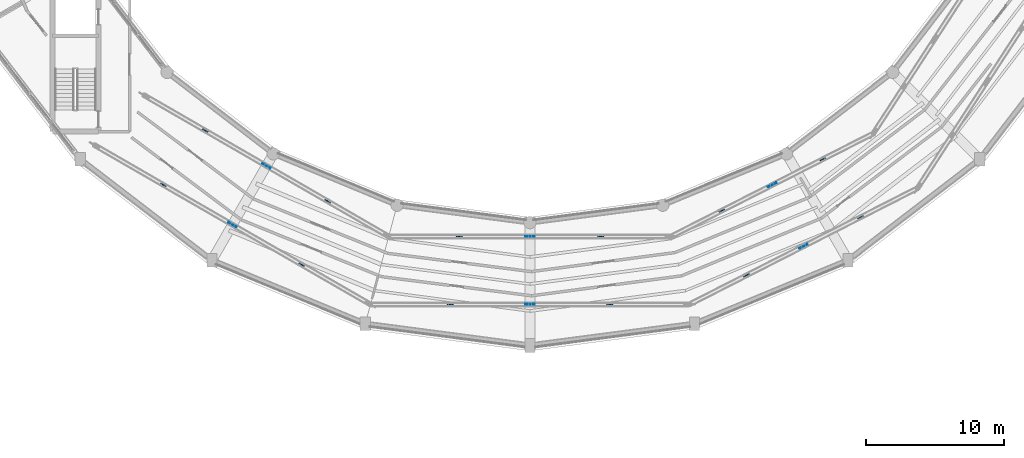
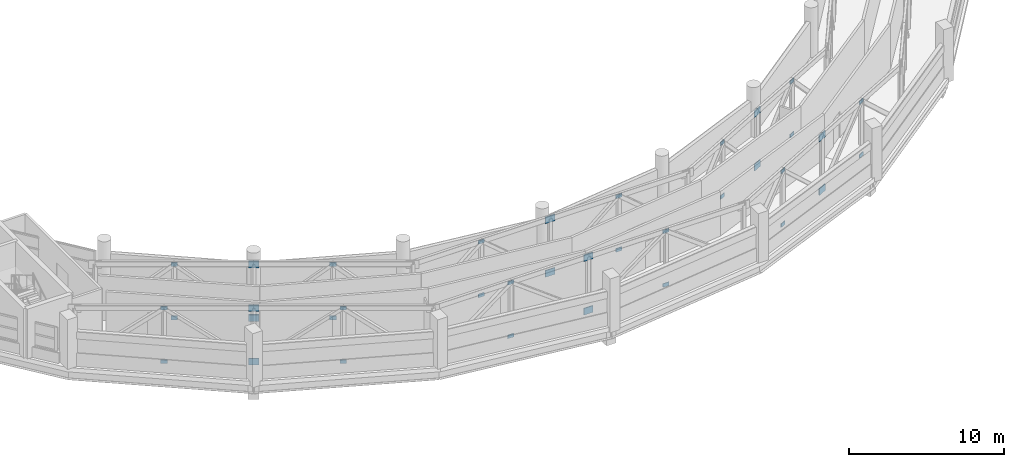
# One storey, part 97 of 121: 36 plates.
"""IFC4 building model written with IfcOpenShell, lengths in metres."""

from ifc_helpers import new_model, si_unit, direction, frame, origin, origin_2d, place, context, subcontext, project, spatial, rectangle, extrude, material, layer, layer_set, type_object, element, save


model = new_model("IFC4")

# Units and contexts
model_context = context("Model", 3, precision=1e-05, world=origin(), true_north=direction((0.0, 1.0)))
body_context = subcontext(model_context, "Body", "Model", "MODEL_VIEW")
ifc_project = project(units=[si_unit("LENGTHUNIT", "METRE"), si_unit("AREAUNIT", "SQUARE_METRE"), si_unit("VOLUMEUNIT", "CUBIC_METRE"), si_unit("PLANEANGLEUNIT", "RADIAN"), si_unit("MASSUNIT", "GRAM", prefix="KILO")], contexts=[model_context])

# Site, building, storey
site_placement = place(None, origin())
site = spatial("IfcSite", under=ifc_project, at=site_placement, CompositionType="ELEMENT")
building_placement = place(site_placement, origin())
building = spatial("IfcBuilding", under=site, at=building_placement, Name="Vespera Passage Community Centre", CompositionType="ELEMENT")
storey_placement = place(building_placement, frame((0.0, 0.0, 8.699951171875)))
storey = spatial("IfcBuildingStorey", under=building, at=storey_placement, Name="L02", CompositionType="ELEMENT", Elevation=8.699951171875)

# Plates
ifc_material_1 = material(Name="Steel ASTM A572 Grade 50", Category="steel")
ifc_layer_1 = layer(ifc_material_1, 0.054931640625)
ifc_layer_set_1 = layer_set([ifc_layer_1], Name="Steel ASTM A572 Grade 50")
plate_type_1 = type_object("IfcPlateType", Name="PL-CAP-55", PredefinedType="SHEET", material=ifc_layer_set_1)
for number, where, z_axis, x_axis, name in (
    (1, (51.431640625, 31.03857421875, -0.93017578125), (0.0, 0.0, 1.0), (0.866025403784, -0.5, 0.0), "Truss TR2O Gusset Plate B2"),
    (2, (51.431640625, 31.03857421875, 3.2802734375), (0.0, 0.0, 1.0), (0.866025403784, -0.5, 0.0), "Truss TR2O Gusset Plate T2"),
    (3, (61.439697265625, 25.260498046875, -0.93017578125), (0.0, 0.0, 1.0), (0.866025403784, -0.5, 0.0), "Truss TR2O Gusset Plate B4"),
    (4, (61.439697265625, 25.260498046875, 3.2802734375), (0.0, 0.0, 1.0), (0.866025403784, -0.5, 0.0), "Truss TR2O Gusset Plate T4"),
    (5, (54.46630859375, 34.974853515625, -0.93017578125), (0.0, 0.0, 1.0), (0.866025403784, -0.5, 0.0), "Truss TR2I Gusset Plate B2"),
    (6, (54.46630859375, 34.974853515625, 3.2802734375), (0.0, 0.0, 1.0), (0.866025403784, -0.5, 0.0), "Truss TR2I Gusset Plate T2"),
    (7, (63.331298828125, 29.856689453125, -0.93017578125), (0.0, 0.0, 1.0), (0.866025403784, -0.5, 0.0), "Truss TR2I Gusset Plate B4"),
    (8, (63.331298828125, 29.856689453125, 3.2802734375), (0.0, 0.0, 1.0), (0.866025403784, -0.5, 0.0), "Truss TR2I Gusset Plate T4"),
    (9, (72.221923828125, 22.371337890625, -0.93017578125), (0.0, 0.0, 1.0), (1.0, 0.0, 0.0), "Truss TR3O Gusset Plate B2"),
    (10, (72.221923828125, 22.371337890625, 3.2802734375), (0.0, 0.0, 1.0), (1.0, 0.0, 0.0), "Truss TR3O Gusset Plate T2"),
    (11, (83.778076171875, 22.371337890625, -0.93017578125), (0.0, 0.0, 1.0), (1.0, 0.0, 0.0), "Truss TR3O Gusset Plate B4"),
    (12, (83.778076171875, 22.371337890625, 3.2802734375), (0.0, 0.0, 1.0), (1.0, 0.0, 0.0), "Truss TR3O Gusset Plate T4"),
    (13, (72.8818359375, 27.297607421875, -0.93017578125), (0.0, 0.0, 1.0), (1.0, 0.0, 0.0), "Truss TR3I Gusset Plate B2"),
    (14, (72.8818359375, 27.297607421875, 3.2802734375), (0.0, 0.0, 1.0), (1.0, 0.0, 0.0), "Truss TR3I Gusset Plate T2"),
    (15, (83.1181640625, 27.297607421875, -0.93017578125), (0.0, 0.0, 1.0), (1.0, 0.0, 0.0), "Truss TR3I Gusset Plate B4"),
    (16, (83.1181640625, 27.297607421875, 3.2802734375), (0.0, 0.0, 1.0), (1.0, 0.0, 0.0), "Truss TR3I Gusset Plate T4"),
    (17, (93.69189453125, 24.478759765625, -0.93017578125), (0.0, 0.0, 1.0), (0.891006524188, 0.45399049974, 0.0), "Truss TR4O Gusset Plate B2"),
    (18, (93.69189453125, 24.478759765625, 3.2802734375), (0.0, 0.0, 1.0), (0.891006524188, 0.45399049974, 0.0), "Truss TR4O Gusset Plate T2"),
    (19, (101.96337890625, 28.693115234375, -0.93017578125), (0.0, 0.0, 1.0), (0.891006524188, 0.45399049974, 0.0), "Truss TR4O Gusset Plate B4"),
    (20, (101.96337890625, 28.693115234375, 3.2802734375), (0.0, 0.0, 1.0), (0.891006524188, 0.45399049974, 0.0), "Truss TR4O Gusset Plate T4"),
    (21, (91.899658203125, 29.164306640625, -0.93017578125), (0.0, 0.0, 1.0), (0.891006524188, 0.45399049974, 0.0), "Truss TR4I Gusset Plate B2"),
    (22, (91.899658203125, 29.164306640625, 3.2802734375), (0.0, 0.0, 1.0), (0.891006524188, 0.45399049974, 0.0), "Truss TR4I Gusset Plate T2"),
    (23, (99.226318359375, 32.897216796875, -0.93017578125), (0.0, 0.0, 1.0), (0.891006524188, 0.45399049974, 0.0), "Truss TR4I Gusset Plate B4"),
    (24, (99.226318359375, 32.897216796875, 3.2802734375), (0.0, 0.0, 1.0), (0.891006524188, 0.45399049974, 0.0), "Truss TR4I Gusset Plate T4"),
):
    element("IfcPlate", number, at=place(storey_placement, frame(where, z_axis=z_axis, x_axis=x_axis)), inside=storey, type_object=plate_type_1, Name=name, PredefinedType="SHEET", context=body_context, shape_type="SweptSolid", body=[
        extrude(rectangle(XDim=0.43994140625, YDim=0.054931640625, at=origin_2d()), origin(), (0.0, 0.0, 1.0), 0.280029296875),
    ])
ifc_material_2 = material(Name="Steel ASTM A572 Grade 50", Category="steel")
ifc_layer_2 = layer(ifc_material_2, 0.06494140625)
ifc_layer_set_2 = layer_set([ifc_layer_2], Name="Steel ASTM A572 Grade 50")
plate_type_2 = type_object("IfcPlateType", Name="PL-GUS-65", PredefinedType="SHEET", material=ifc_layer_set_2)
for number, where, z_axis, x_axis, name in (
    (25, (56.435791015625, 28.149658203125, -1.050048828125), (0.0, 0.0, 1.0), (0.866025403784, -0.5, 0.0), "Truss TR2O Gusset Plate B3"),
    (26, (56.435791015625, 28.149658203125, 3.16015625), (0.0, 0.0, 1.0), (0.866025403784, -0.5, 0.0), "Truss TR2O Gusset Plate T3"),
    (27, (58.898681640625, 32.415771484375, -1.050048828125), (0.0, 0.0, 1.0), (0.866025403784, -0.5, 0.0), "Truss TR2I Gusset Plate B3"),
    (28, (58.898681640625, 32.415771484375, 3.16015625), (0.0, 0.0, 1.0), (0.866025403784, -0.5, 0.0), "Truss TR2I Gusset Plate T3"),
    (29, (78.0, 22.371337890625, -1.050048828125), (0.0, 0.0, 1.0), (1.0, 0.0, 0.0), "Truss TR3O Gusset Plate B3"),
    (30, (78.0, 22.371337890625, 3.16015625), (0.0, 0.0, 1.0), (1.0, 0.0, 0.0), "Truss TR3O Gusset Plate T3"),
    (31, (78.0, 27.297607421875, -1.050048828125), (0.0, 0.0, 1.0), (1.0, 0.0, 0.0), "Truss TR3I Gusset Plate B3"),
    (32, (78.0, 27.297607421875, 3.16015625), (0.0, 0.0, 1.0), (1.0, 0.0, 0.0), "Truss TR3I Gusset Plate T3"),
    (33, (97.82763671875, 26.5859375, -1.050048828125), (0.0, 0.0, 1.0), (0.891006524188, 0.45399049974, 0.0), "Truss TR4O Gusset Plate B3"),
    (34, (97.82763671875, 26.5859375, 3.16015625), (0.0, 0.0, 1.0), (0.891006524188, 0.45399049974, 0.0), "Truss TR4O Gusset Plate T3"),
    (35, (95.56298828125, 31.03076171875, -1.050048828125), (0.0, 0.0, 1.0), (0.891006524188, 0.45399049974, 0.0), "Truss TR4I Gusset Plate B3"),
    (36, (95.56298828125, 31.03076171875, 3.16015625), (0.0, 0.0, 1.0), (0.891006524188, 0.45399049974, 0.0), "Truss TR4I Gusset Plate T3"),
):
    element("IfcPlate", number, at=place(storey_placement, frame(where, z_axis=z_axis, x_axis=x_axis)), inside=storey, type_object=plate_type_2, Name=name, PredefinedType="SHEET", context=body_context, shape_type="SweptSolid", body=[
        extrude(rectangle(XDim=0.679931640625, YDim=0.06494140625, at=origin_2d()), origin(), (0.0, 0.0, 1.0), 0.52001953125),
    ])

save(model, "model.ifc")
